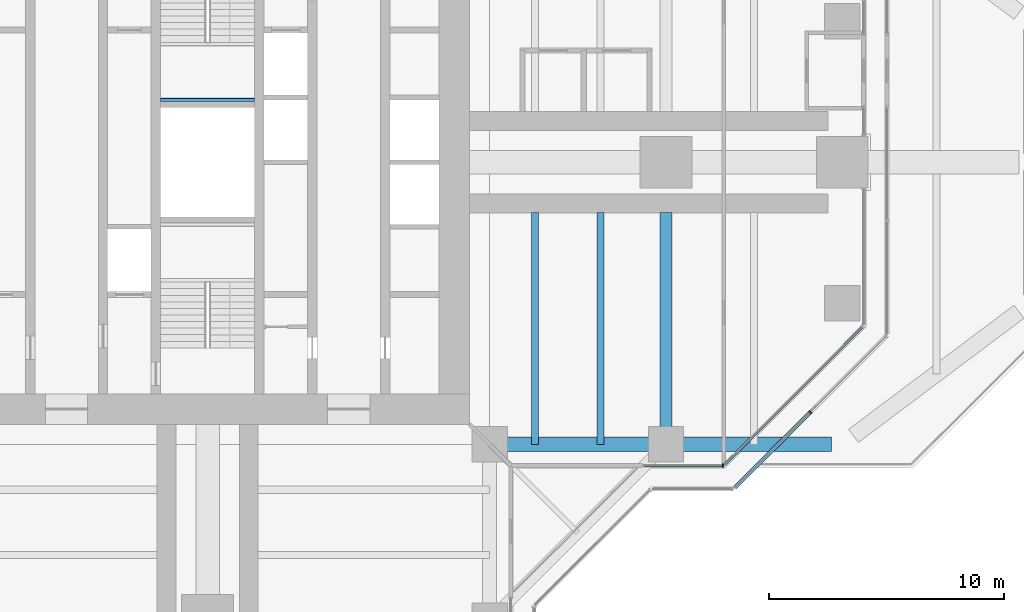
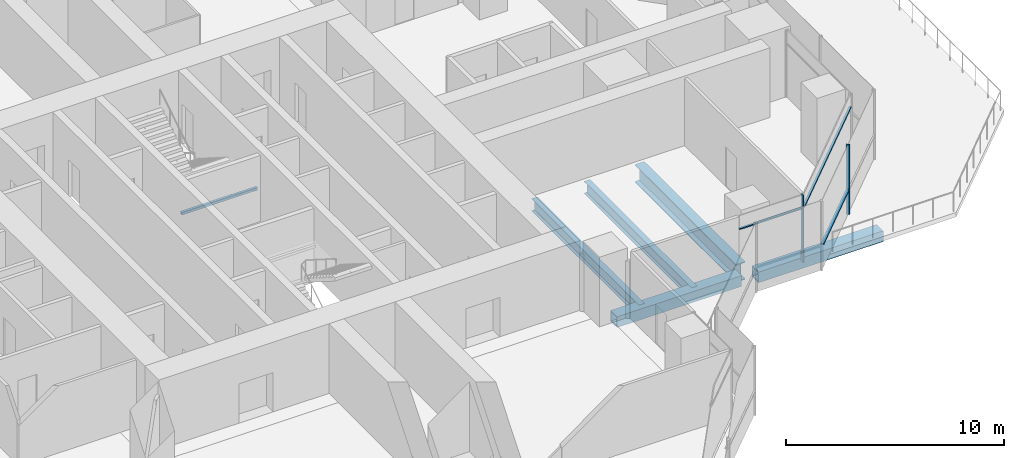
# One storey, part 5 of 19: 6 beams, 5 members, 3 elements without a shape of their own.
"""IFC4 building model written with IfcOpenShell, lengths in metres."""

from ifc_helpers import new_model, si_unit, direction, frame, origin, origin_2d, place, context, subcontext, project, spatial, rectangle, hollow_rectangle, i_section, extrude, material, material_profile, profile_set, type_object, element, aggregate, save


model = new_model("IFC4")

# Units and contexts
model_context = context("Model", 3, precision=1e-05, world=origin(), true_north=direction((0.0, 1.0)))
body_context = subcontext(model_context, "Body", "Model", "MODEL_VIEW")
ifc_project = project(units=[si_unit("LENGTHUNIT", "METRE"), si_unit("AREAUNIT", "SQUARE_METRE"), si_unit("VOLUMEUNIT", "CUBIC_METRE"), si_unit("PLANEANGLEUNIT", "RADIAN"), si_unit("MASSUNIT", "GRAM", prefix="KILO")], contexts=[model_context])

# Site, building, storey
site_placement = place(None, origin())
site = spatial("IfcSite", under=ifc_project, at=site_placement, CompositionType="ELEMENT")
building_placement = place(site_placement, origin())
building = spatial("IfcBuilding", under=site, at=building_placement, Name="Mizan Broadcast Tower", CompositionType="ELEMENT")
storey_placement = place(building_placement, frame((0.0, 0.0, 204.89990234375)))
storey = spatial("IfcBuildingStorey", under=building, at=storey_placement, Name="L47", CompositionType="ELEMENT", Elevation=204.89990234375)

# Beams
ifc_material_1 = material(Name="Steel S355", Category="steel")
ifc_material_profile_1 = material_profile(ifc_material_1, hollow_rectangle(XDim=0.60009765625, YDim=0.60009765625, WallThickness=0.0400390625, at=origin_2d()), Name="BOX 600x600x40")
ifc_profile_set_1 = profile_set([ifc_material_profile_1], Name="Steel S355")
beam_type_1 = type_object("IfcBeamType", Name="EDGE BEAM BOX 600x600x40", PredefinedType="SPANDREL", material=ifc_profile_set_1)
for number, where, z_axis, x_axis, name in (
    (1, (12.449951171875, -12.0, -0.429931640625), (1.0, 0.0, 0.0), (0.0, 1.0, 0.0), "Edge beam BOX 600x600x40 L47 east arm"),
    (2, (19.949951171875, -12.0, -0.5498046875), (1.0, 0.0, 0.0), (0.0, 1.0, 0.0), "Edge beam BOX 600x600x40 L47 east arm"),
):
    element("IfcBeam", number, at=place(storey_placement, frame(where, z_axis=z_axis, x_axis=x_axis)), inside=storey, type_object=beam_type_1, Name=name, PredefinedType="SPANDREL", context=body_context, shape_type="SweptSolid", body=[
        extrude(hollow_rectangle(XDim=0.60009765625, YDim=0.60009765625, WallThickness=0.0400390625, at=origin_2d()), origin(), (0.0, 0.0, 1.0), 6.60009765625),
    ])
ifc_material_2 = material(Name="Steel S460", Category="steel")
ifc_material_profile_2 = material_profile(ifc_material_2, i_section(OverallWidth=0.5, OverallDepth=1.0, WebThickness=0.02490234375, FlangeThickness=0.050048828125, at=origin_2d()), Name="WPG 1000x500")
ifc_profile_set_2 = profile_set([ifc_material_profile_2], Name="Steel S460")
beam_type_2 = type_object("IfcBeamType", Name="GIRDER WPG 1000x500", PredefinedType="BEAM", material=ifc_profile_set_2)
beam_1_placement = place(storey_placement, frame((19.5, -11.408935546875, -0.6298828125), z_axis=(0.0, 1.0, 0.0), x_axis=(-1.0, 0.0, 0.0)))
element("IfcBeam", 3, at=beam_1_placement, inside=storey, type_object=beam_type_2, Name="Girder WPG 1000x500 L47 east arm", PredefinedType="BEAM", context=body_context, shape_type="SweptSolid", body=[
    extrude(i_section(OverallWidth=0.5, OverallDepth=1.0, WebThickness=0.02490234375, FlangeThickness=0.050048828125, at=origin_2d()), origin(), (0.0, 0.0, 1.0), 9.259033203125),
])

# Curtain wall, members
ifc_material_3 = material(Name="Aluminium framed glazing", Category="aluminium")
curtain_wall_type_1 = type_object("IfcCurtainWallType", Name="INNER SKIN HIGH ZONE", PredefinedType="USERDEFINED", material=ifc_material_3)
curtain_wall_1_placement = place(storey_placement, origin())
curtain_wall_1 = element("IfcCurtainWall", 4, at=curtain_wall_1_placement, inside=storey, type_object=curtain_wall_type_1, Name="Inner skin high zone L47 E side", ObjectType="INNER SKIN HIGH ZONE", PredefinedType="USERDEFINED")
ifc_material_4 = material(Name="Aluminium, pale anodised", Category="aluminium")
ifc_material_profile_3 = material_profile(ifc_material_4, rectangle(XDim=0.159912109375, YDim=0.06005859375, at=origin_2d()), Name="MULLION 160x60")
ifc_profile_set_3 = profile_set([ifc_material_profile_3], Name="Aluminium, pale anodised")
member_type_1 = type_object("IfcMemberType", Name="INNER SKIN MULLION 60x160", PredefinedType="MULLION", material=ifc_profile_set_3)
member_1_placement = place(storey_placement, frame((21.928466796875, -12.89990234375, 0.0), z_axis=(0.0, 0.0, 1.0), x_axis=(0.0, 1.0, 0.0)))
member_1 = element("IfcMember", 5, at=member_1_placement, type_object=member_type_1, Name="Inner skin high zone L47 E side mullion 2", PredefinedType="MULLION", context=body_context, shape_type="SweptSolid", body=[
    extrude(rectangle(XDim=0.159912109375, YDim=0.06005859375, at=origin_2d()), origin(), (0.0, 0.0, 1.0), 3.77001953125),
])
ifc_material_5 = material(Name="Aluminium, pale anodised", Category="aluminium")
ifc_material_profile_4 = material_profile(ifc_material_5, rectangle(XDim=0.1201171875, YDim=0.06005859375, at=origin_2d()), Name="TRANSOM 120x60")
ifc_profile_set_4 = profile_set([ifc_material_profile_4], Name="Aluminium, pale anodised")
member_type_2 = type_object("IfcMemberType", Name="INNER SKIN TRANSOM 60x120", PredefinedType="USERDEFINED", material=ifc_profile_set_4)
member_2_placement = place(storey_placement, frame((18.56005859375, -12.89990234375, 3.030029296875), z_axis=(1.0, 0.0, 0.0), x_axis=(0.0, 1.0, 0.0)))
member_2 = element("IfcMember", 6, at=member_2_placement, type_object=member_type_2, Name="Inner skin high zone L47 E side transom 1.1", ObjectType="TRANSOM", PredefinedType="USERDEFINED", context=body_context, shape_type="SweptSolid", body=[
    extrude(rectangle(XDim=0.1201171875, YDim=0.06005859375, at=origin_2d()), origin(), (0.0, 0.0, 1.0), 3.338623046875),
])
aggregate(curtain_wall_1, [member_1, member_2])

# Curtain wall, member
curtain_wall_2_placement = place(storey_placement, origin())
curtain_wall_2 = element("IfcCurtainWall", 7, at=curtain_wall_2_placement, inside=storey, type_object=curtain_wall_type_1, Name="Inner skin high zone L47 E chamfer", ObjectType="INNER SKIN HIGH ZONE", PredefinedType="USERDEFINED")
member_3_placement = place(storey_placement, frame((22.0009765625, -12.857666015625, 3.030029296875), z_axis=(0.707106781187, 0.707106781187, 0.0), x_axis=(-0.707106781187, 0.707106781187, 0.0)))
member_3 = element("IfcMember", 8, at=member_3_placement, type_object=member_type_2, Name="Inner skin high zone L47 E chamfer transom 1.1", ObjectType="TRANSOM", PredefinedType="USERDEFINED", context=body_context, shape_type="SweptSolid", body=[
    extrude(rectangle(XDim=0.1201171875, YDim=0.06005859375, at=origin_2d()), origin(), (0.0, 0.0, 1.0), 8.28271484375),
])
aggregate(curtain_wall_2, [member_3])

# Beam
ifc_material_6 = material(Name="Steel S355", Category="steel")
ifc_material_profile_5 = material_profile(ifc_material_6, hollow_rectangle(XDim=0.14990234375, YDim=0.14990234375, WallThickness=0.008056640625, InnerFilletRadius=0.008056640625, OuterFilletRadius=0.011962890625, at=origin_2d()), Name="SHS 150x150x8")
ifc_profile_set_5 = profile_set([ifc_material_profile_5], Name="Steel S355")
beam_type_3 = type_object("IfcBeamType", Name="LANDING TRIMMER SHS 150x150x8", PredefinedType="BEAM", material=ifc_profile_set_5)
beam_2_placement = place(storey_placement, frame((2.0, 2.64990234375, 1.675048828125), z_axis=(-1.0, 0.0, 0.0), x_axis=(0.0, -1.0, 0.0)))
element("IfcBeam", 9, at=beam_2_placement, inside=storey, type_object=beam_type_3, Name="Stair B landing trimmer L47", PredefinedType="BEAM", context=body_context, shape_type="SweptSolid", body=[
    extrude(hollow_rectangle(XDim=0.14990234375, YDim=0.14990234375, WallThickness=0.008056640625, InnerFilletRadius=0.008056640625, OuterFilletRadius=0.011962890625, at=origin_2d()), origin(), (0.0, 0.0, 1.0), 4.0),
])

# Curtain wall, members
ifc_material_7 = material(Name="Aluminium framed glazing", Category="aluminium")
curtain_wall_type_2 = type_object("IfcCurtainWallType", Name="OUTER SKIN", PredefinedType="USERDEFINED", material=ifc_material_7)
curtain_wall_3_placement = place(storey_placement, origin())
curtain_wall_3 = element("IfcCurtainWall", 10, at=curtain_wall_3_placement, inside=storey, type_object=curtain_wall_type_2, Name="Outer skin L47 E chamfer", ObjectType="OUTER SKIN", PredefinedType="USERDEFINED")
ifc_material_8 = material(Name="Aluminium, pale anodised", Category="aluminium")
ifc_material_profile_6 = material_profile(ifc_material_8, rectangle(XDim=0.159912109375, YDim=0.080078125, at=origin_2d()), Name="MULLION 160x80")
ifc_profile_set_6 = profile_set([ifc_material_profile_6], Name="Aluminium, pale anodised")
member_type_3 = type_object("IfcMemberType", Name="OUTER SKIN MULLION 80x160", PredefinedType="MULLION", material=ifc_profile_set_6)
member_4_placement = place(storey_placement, frame((25.636474609375, -10.636474609375, 0.0), z_axis=(0.0, 0.0, 1.0), x_axis=(-0.707106781187, 0.707106781187, 0.0)))
member_4 = element("IfcMember", 11, at=member_4_placement, type_object=member_type_3, Name="Outer skin L47 E chamfer mullion 2", PredefinedType="MULLION", context=body_context, shape_type="SweptSolid", body=[
    extrude(rectangle(XDim=0.159912109375, YDim=0.080078125, at=origin_2d()), origin(), (0.0, 0.0, 1.0), 3.900146484375),
])
ifc_material_9 = material(Name="Aluminium, pale anodised", Category="aluminium")
ifc_material_profile_7 = material_profile(ifc_material_9, rectangle(XDim=0.159912109375, YDim=0.06005859375, at=origin_2d()), Name="TRANSOM 160x60")
ifc_profile_set_7 = profile_set([ifc_material_profile_7], Name="Aluminium, pale anodised")
member_type_4 = type_object("IfcMemberType", Name="OUTER SKIN TRANSOM 60x160", PredefinedType="USERDEFINED", material=ifc_profile_set_7)
member_5_placement = place(storey_placement, frame((22.429443359375, -13.843505859375, 1.400146484375), z_axis=(0.707106781187, 0.707106781187, 0.0), x_axis=(-0.707106781187, 0.707106781187, 0.0)))
member_5 = element("IfcMember", 12, at=member_5_placement, type_object=member_type_4, Name="Outer skin L47 E chamfer transom 1.1", ObjectType="TRANSOM", PredefinedType="USERDEFINED", context=body_context, shape_type="SweptSolid", body=[
    extrude(rectangle(XDim=0.159912109375, YDim=0.06005859375, at=origin_2d()), origin(), (0.0, 0.0, 1.0), 4.495361328125),
])
aggregate(curtain_wall_3, [member_4, member_5])

# Beams
ifc_material_10 = material(Name="Steel S355", Category="steel")
ifc_material_profile_8 = material_profile(ifc_material_10, i_section(OverallWidth=0.300048828125, OverallDepth=0.68994140625, WebThickness=0.014404296875, FlangeThickness=0.027099609375, FilletRadius=0.027099609375, at=origin_2d()), Name="HEA 700")
ifc_profile_set_8 = profile_set([ifc_material_profile_8], Name="Steel S355")
beam_type_4 = type_object("IfcBeamType", Name="SECONDARY BEAM HEA 700", PredefinedType="JOIST", material=ifc_profile_set_8)
for number, where, z_axis, x_axis, name in (
    (13, (13.933349609375, -12.0, -0.474853515625), (0.0, 1.0, 0.0), (-1.0, 0.0, 0.0), "Secondary beam HEA 700 L47 east arm"),
    (14, (16.716552734375, -12.0, -0.474853515625), (0.0, 1.0, 0.0), (-1.0, 0.0, 0.0), "Secondary beam HEA 700 L47 east arm"),
):
    element("IfcBeam", number, at=place(storey_placement, frame(where, z_axis=z_axis, x_axis=x_axis)), inside=storey, type_object=beam_type_4, Name=name, PredefinedType="JOIST", context=body_context, shape_type="SweptSolid", body=[
        extrude(i_section(OverallWidth=0.300048828125, OverallDepth=0.68994140625, WebThickness=0.014404296875, FlangeThickness=0.027099609375, FilletRadius=0.027099609375, at=origin_2d()), origin(), (0.0, 0.0, 1.0), 9.85009765625),
    ])

save(model, "model.ifc")
